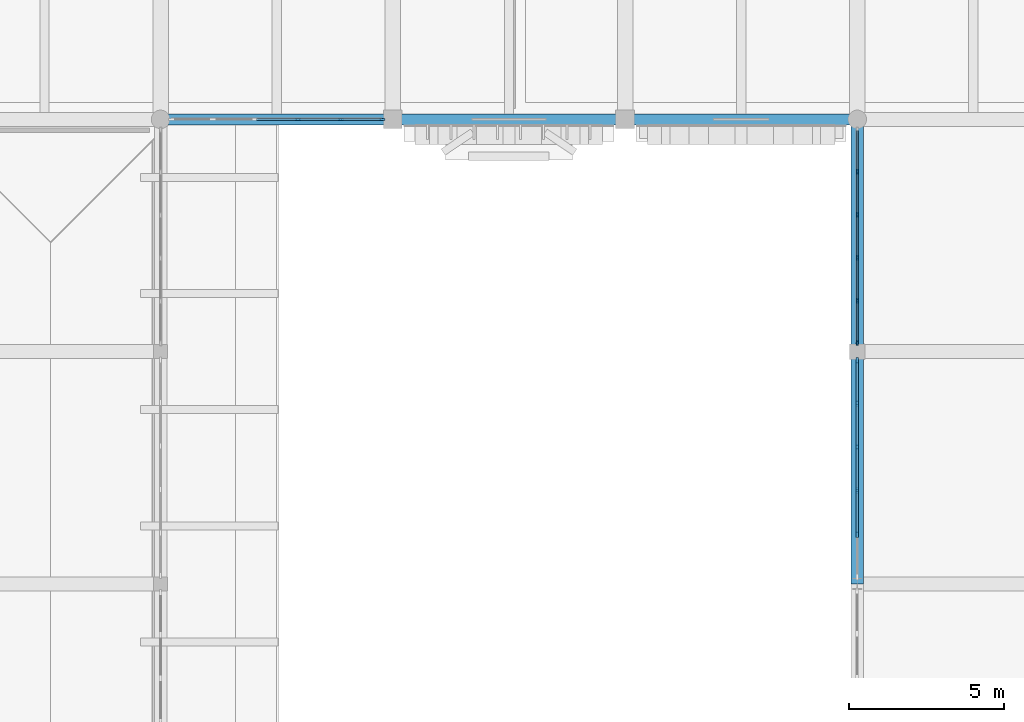
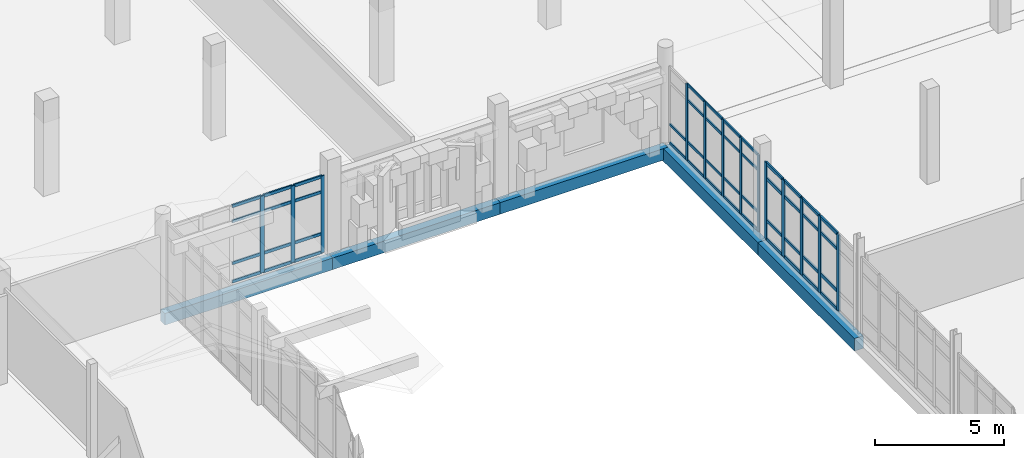
# One storey, part 46 of 128: 59 members, 5 beams, 3 elements without a shape of their own.
"""IFC4 building model written with IfcOpenShell, lengths in metres."""

from ifc_helpers import new_model, si_unit, direction, frame, origin, origin_2d, place, context, subcontext, project, spatial, rectangle, extrude, material, layer, layer_set, material_profile, profile_set, type_object, element, aggregate, save


model = new_model("IFC4")

# Units and contexts
model_context = context("Model", 3, precision=1e-05, world=origin(), true_north=direction((0.0, 1.0)))
body_context = subcontext(model_context, "Body", "Model", "MODEL_VIEW")
ifc_project = project(units=[si_unit("LENGTHUNIT", "METRE"), si_unit("AREAUNIT", "SQUARE_METRE"), si_unit("VOLUMEUNIT", "CUBIC_METRE"), si_unit("PLANEANGLEUNIT", "RADIAN"), si_unit("MASSUNIT", "GRAM", prefix="KILO")], contexts=[model_context])

# Site, building, storey
site_placement = place(None, origin())
site = spatial("IfcSite", under=ifc_project, at=site_placement, CompositionType="ELEMENT")
building_placement = place(site_placement, origin())
building = spatial("IfcBuilding", under=site, at=building_placement, Name="Dalvernix Boulevard General Hospital", CompositionType="ELEMENT")
storey_placement = place(building_placement, frame((0.0, 0.0, 4.800048828125)))
storey = spatial("IfcBuildingStorey", under=building, at=storey_placement, Name="L01", CompositionType="ELEMENT", Elevation=4.800048828125)

# Beams
ifc_material_1 = material(Name="Concrete C35/45", Category="concrete")
ifc_material_profile_1 = material_profile(ifc_material_1, rectangle(XDim=0.35009765625, YDim=0.550048828125, at=origin_2d()), Name="RCB 350x550")
ifc_profile_set_1 = profile_set([ifc_material_profile_1], Name="Concrete C35/45")
beam_type_1 = type_object("IfcBeamType", Name="BM-SB-01-E", PredefinedType="SPANDREL", material=ifc_profile_set_1)
for number, where, z_axis, x_axis, name in (
    (1, (37.5, 76.5, -0.574951171875), (1.0, 0.0, 0.0), (0.0, 1.0, 0.0), "L01 E-W girder L:6-7"),
    (2, (45.0, 76.5, -0.574951171875), (1.0, 0.0, 0.0), (0.0, 1.0, 0.0), "L01 E-W girder L:7-8"),
    (3, (52.5, 76.5, -0.574951171875), (1.0, 0.0, 0.0), (0.0, 1.0, 0.0), "L01 E-W girder L:8-9"),
):
    element("IfcBeam", number, at=place(storey_placement, frame(where, z_axis=z_axis, x_axis=x_axis)), inside=storey, type_object=beam_type_1, Name=name, PredefinedType="SPANDREL", context=body_context, shape_type="SweptSolid", body=[
        extrude(rectangle(XDim=0.35009765625, YDim=0.550048828125, at=origin_2d()), origin(), (0.0, 0.0, 1.0), 7.5),
    ])
ifc_material_profile_2 = material_profile(ifc_material_1, rectangle(XDim=0.39990234375, YDim=0.60009765625, at=origin_2d()), Name="RCB 400x600")
ifc_profile_set_2 = profile_set([ifc_material_profile_2], Name="Concrete C35/45")
beam_type_2 = type_object("IfcBeamType", Name="BM-SB-02-E", PredefinedType="SPANDREL", material=ifc_profile_set_2)
for number, where, z_axis, x_axis, name in (
    (4, (60.0, 61.5, -0.60009765625), (0.0, 1.0, 0.0), (-1.0, 0.0, 0.0), "L01 N-S girder 9:J-K"),
    (5, (60.0, 69.0, -0.60009765625), (0.0, 1.0, 0.0), (-1.0, 0.0, 0.0), "L01 N-S girder 9:K-L"),
):
    element("IfcBeam", number, at=place(storey_placement, frame(where, z_axis=z_axis, x_axis=x_axis)), inside=storey, type_object=beam_type_2, Name=name, PredefinedType="SPANDREL", context=body_context, shape_type="SweptSolid", body=[
        extrude(rectangle(XDim=0.39990234375, YDim=0.60009765625, at=origin_2d()), origin(), (0.0, 0.0, 1.0), 7.5),
    ])

# Curtain wall, members
ifc_material_2 = material(Name="Thermally broken aluminium and solar-control glass curtain wall", Category="aluminium")
ifc_layer_1 = layer(ifc_material_2, 0.159912109375)
ifc_layer_set_1 = layer_set([ifc_layer_1], Name="Thermally broken aluminium and solar-control glass curtain wall (CW-CW-A-69x36)")
curtain_wall_type_1 = type_object("IfcCurtainWallType", Name="CW-CW-A-69x36", PredefinedType="USERDEFINED", material=ifc_layer_set_1)
curtain_wall_1_placement = place(storey_placement, origin())
curtain_wall_1 = element("IfcCurtainWall", 6, at=curtain_wall_1_placement, inside=storey, type_object=curtain_wall_type_1, Name="L01 curtain wall CW-A-69x36 8-9", ObjectType="GLAZED FACADE", PredefinedType="USERDEFINED")
ifc_material_3 = material(Name="Aluminium EN AW-6060", Category="aluminium")
ifc_material_profile_3 = material_profile(ifc_material_3, rectangle(XDim=0.06005859375, YDim=0.159912109375, at=origin_2d()), Name="ALU MULL 60x160")
ifc_profile_set_3 = profile_set([ifc_material_profile_3], Name="Aluminium EN AW-6060")
member_type_1 = type_object("IfcMemberType", Name="MEM-CW-M1", PredefinedType="MULLION", material=ifc_profile_set_3)
member_1_placement = place(storey_placement, frame((60.0, 69.2900390625, 0.0), z_axis=(0.0, 0.0, 1.0), x_axis=(-1.0, 0.0, 0.0)))
member_1 = element("IfcMember", 7, at=member_1_placement, type_object=member_type_1, Name="CW-A-69x36 mullion 1", PredefinedType="MULLION", context=body_context, shape_type="SweptSolid", body=[
    extrude(rectangle(XDim=0.06005859375, YDim=0.159912109375, at=origin_2d()), origin(), (0.0, 0.0, 1.0), 3.6298828125),
])
member_2_placement = place(storey_placement, frame((60.0, 70.64599609375, 0.0), z_axis=(0.0, 0.0, 1.0), x_axis=(-1.0, 0.0, 0.0)))
member_2 = element("IfcMember", 8, at=member_2_placement, type_object=member_type_1, Name="CW-A-69x36 mullion 2", PredefinedType="MULLION", context=body_context, shape_type="SweptSolid", body=[
    extrude(rectangle(XDim=0.06005859375, YDim=0.159912109375, at=origin_2d()), origin(), (0.0, 0.0, 1.0), 3.6298828125),
])
member_3_placement = place(storey_placement, frame((60.0, 72.031982421875, 0.0), z_axis=(0.0, 0.0, 1.0), x_axis=(-1.0, 0.0, 0.0)))
member_3 = element("IfcMember", 9, at=member_3_placement, type_object=member_type_1, Name="CW-A-69x36 mullion 3", PredefinedType="MULLION", context=body_context, shape_type="SweptSolid", body=[
    extrude(rectangle(XDim=0.06005859375, YDim=0.159912109375, at=origin_2d()), origin(), (0.0, 0.0, 1.0), 3.6298828125),
])
member_4_placement = place(storey_placement, frame((60.0, 73.41796875, 0.0), z_axis=(0.0, 0.0, 1.0), x_axis=(-1.0, 0.0, 0.0)))
member_4 = element("IfcMember", 10, at=member_4_placement, type_object=member_type_1, Name="CW-A-69x36 mullion 4", PredefinedType="MULLION", context=body_context, shape_type="SweptSolid", body=[
    extrude(rectangle(XDim=0.06005859375, YDim=0.159912109375, at=origin_2d()), origin(), (0.0, 0.0, 1.0), 3.6298828125),
])
member_5_placement = place(storey_placement, frame((60.0, 74.803955078125, 0.0), z_axis=(0.0, 0.0, 1.0), x_axis=(-1.0, 0.0, 0.0)))
member_5 = element("IfcMember", 11, at=member_5_placement, type_object=member_type_1, Name="CW-A-69x36 mullion 5", PredefinedType="MULLION", context=body_context, shape_type="SweptSolid", body=[
    extrude(rectangle(XDim=0.06005859375, YDim=0.159912109375, at=origin_2d()), origin(), (0.0, 0.0, 1.0), 3.6298828125),
])

ifc_layer_2 = layer(ifc_material_2, 0.179931640625)
ifc_layer_set_2 = layer_set([ifc_layer_2], Name="Thermally broken aluminium and solar-control glass curtain wall (CW-CW-B-69x36)")
curtain_wall_type_2 = type_object("IfcCurtainWallType", Name="CW-CW-B-69x36", PredefinedType="USERDEFINED", material=ifc_layer_set_2)
curtain_wall_2_placement = place(storey_placement, origin())
curtain_wall_2 = element("IfcCurtainWall", 12, at=curtain_wall_2_placement, inside=storey, type_object=curtain_wall_type_2, Name="L01 curtain wall CW-B-69x36 5-10", ObjectType="GLAZED FACADE", PredefinedType="USERDEFINED")
ifc_material_profile_4 = material_profile(ifc_material_3, rectangle(XDim=0.06494140625, YDim=0.179931640625, at=origin_2d()), Name="ALU MULL 65x180")
ifc_profile_set_4 = profile_set([ifc_material_profile_4], Name="Aluminium EN AW-6060")
member_type_2 = type_object("IfcMemberType", Name="MEM-CW-M2", PredefinedType="MULLION", material=ifc_profile_set_4)
member_6_placement = place(storey_placement, frame((44.657470703125, 76.5, 0.0), z_axis=(0.0, 0.0, 1.0), x_axis=(0.0, -1.0, 0.0)))
member_6 = element("IfcMember", 13, at=member_6_placement, type_object=member_type_2, Name="CW-B-69x36 mullion 1", PredefinedType="MULLION", context=body_context, shape_type="SweptSolid", body=[
    extrude(rectangle(XDim=0.06494140625, YDim=0.179931640625, at=origin_2d()), origin(), (0.0, 0.0, 1.0), 3.6298828125),
])
member_7_placement = place(storey_placement, frame((43.31396484375, 76.5, 0.0), z_axis=(0.0, 0.0, 1.0), x_axis=(0.0, -1.0, 0.0)))
member_7 = element("IfcMember", 14, at=member_7_placement, type_object=member_type_2, Name="CW-B-69x36 mullion 2", PredefinedType="MULLION", context=body_context, shape_type="SweptSolid", body=[
    extrude(rectangle(XDim=0.06494140625, YDim=0.179931640625, at=origin_2d()), origin(), (0.0, 0.0, 1.0), 3.6298828125),
])
member_8_placement = place(storey_placement, frame((41.93798828125, 76.5, 0.0), z_axis=(0.0, 0.0, 1.0), x_axis=(0.0, -1.0, 0.0)))
member_8 = element("IfcMember", 15, at=member_8_placement, type_object=member_type_2, Name="CW-B-69x36 mullion 3", PredefinedType="MULLION", context=body_context, shape_type="SweptSolid", body=[
    extrude(rectangle(XDim=0.06494140625, YDim=0.179931640625, at=origin_2d()), origin(), (0.0, 0.0, 1.0), 3.6298828125),
])

ifc_layer_3 = layer(ifc_material_2, 0.199951171875)
ifc_layer_set_3 = layer_set([ifc_layer_3], Name="Thermally broken aluminium and solar-control glass curtain wall (CW-CW-C-70x36)")
curtain_wall_type_3 = type_object("IfcCurtainWallType", Name="CW-CW-C-70x36", PredefinedType="USERDEFINED", material=ifc_layer_set_3)
curtain_wall_3_placement = place(storey_placement, origin())
curtain_wall_3 = element("IfcCurtainWall", 16, at=curtain_wall_3_placement, inside=storey, type_object=curtain_wall_type_3, Name="L01 curtain wall CW-C-70x36 8-8", ObjectType="GLAZED FACADE", PredefinedType="USERDEFINED")
ifc_material_profile_5 = material_profile(ifc_material_3, rectangle(XDim=0.070068359375, YDim=0.199951171875, at=origin_2d()), Name="ALU MULL 70x200")
ifc_profile_set_5 = profile_set([ifc_material_profile_5], Name="Aluminium EN AW-6060")
member_type_3 = type_object("IfcMemberType", Name="MEM-CW-M3", PredefinedType="MULLION", material=ifc_profile_set_5)
member_9_placement = place(storey_placement, frame((60.0, 63.10009765625, 0.0), z_axis=(0.0, 0.0, 1.0), x_axis=(-1.0, 0.0, 0.0)))
member_9 = element("IfcMember", 17, at=member_9_placement, type_object=member_type_3, Name="CW-C-70x36 mullion 2", PredefinedType="MULLION", context=body_context, shape_type="SweptSolid", body=[
    extrude(rectangle(XDim=0.070068359375, YDim=0.199951171875, at=origin_2d()), origin(), (0.0, 0.0, 1.0), 3.6298828125),
])
member_10_placement = place(storey_placement, frame((60.0, 64.510009765625, 0.0), z_axis=(0.0, 0.0, 1.0), x_axis=(-1.0, 0.0, 0.0)))
member_10 = element("IfcMember", 18, at=member_10_placement, type_object=member_type_3, Name="CW-C-70x36 mullion 3", PredefinedType="MULLION", context=body_context, shape_type="SweptSolid", body=[
    extrude(rectangle(XDim=0.070068359375, YDim=0.199951171875, at=origin_2d()), origin(), (0.0, 0.0, 1.0), 3.6298828125),
])
member_11_placement = place(storey_placement, frame((60.0, 65.919921875, 0.0), z_axis=(0.0, 0.0, 1.0), x_axis=(-1.0, 0.0, 0.0)))
member_11 = element("IfcMember", 19, at=member_11_placement, type_object=member_type_3, Name="CW-C-70x36 mullion 4", PredefinedType="MULLION", context=body_context, shape_type="SweptSolid", body=[
    extrude(rectangle(XDim=0.070068359375, YDim=0.199951171875, at=origin_2d()), origin(), (0.0, 0.0, 1.0), 3.6298828125),
])
member_12_placement = place(storey_placement, frame((60.0, 67.330078125, 0.0), z_axis=(0.0, 0.0, 1.0), x_axis=(-1.0, 0.0, 0.0)))
member_12 = element("IfcMember", 20, at=member_12_placement, type_object=member_type_3, Name="CW-C-70x36 mullion 5", PredefinedType="MULLION", context=body_context, shape_type="SweptSolid", body=[
    extrude(rectangle(XDim=0.070068359375, YDim=0.199951171875, at=origin_2d()), origin(), (0.0, 0.0, 1.0), 3.6298828125),
])
member_13_placement = place(storey_placement, frame((60.0, 68.705078125, 0.0), z_axis=(0.0, 0.0, 1.0), x_axis=(-1.0, 0.0, 0.0)))
member_13 = element("IfcMember", 21, at=member_13_placement, type_object=member_type_3, Name="CW-C-70x36 mullion 6", PredefinedType="MULLION", context=body_context, shape_type="SweptSolid", body=[
    extrude(rectangle(XDim=0.070068359375, YDim=0.199951171875, at=origin_2d()), origin(), (0.0, 0.0, 1.0), 3.6298828125),
])

# Member
ifc_material_profile_6 = material_profile(ifc_material_3, rectangle(XDim=0.06005859375, YDim=0.1201171875, at=origin_2d()), Name="ALU TRAN 60x120")
ifc_profile_set_6 = profile_set([ifc_material_profile_6], Name="Aluminium EN AW-6060")
member_type_4 = type_object("IfcMemberType", Name="MEM-CW-T1", PredefinedType="USERDEFINED", material=ifc_profile_set_6)
member_14_placement = place(storey_placement, frame((60.0, 69.320068359375, 0.030029296875), z_axis=(0.0, 1.0, 0.0), x_axis=(-1.0, 0.0, 0.0)))
member_14 = element("IfcMember", 22, at=member_14_placement, type_object=member_type_4, Name="CW-A-69x36 transom 1.1", ObjectType="TRANSOM", PredefinedType="USERDEFINED", context=body_context, shape_type="SweptSolid", body=[
    extrude(rectangle(XDim=0.06005859375, YDim=0.1201171875, at=origin_2d()), origin(), (0.0, 0.0, 1.0), 1.2958984375),
])

member_15_placement = place(storey_placement, frame((60.0, 69.320068359375, 0.89990234375), z_axis=(0.0, 1.0, 0.0), x_axis=(-1.0, 0.0, 0.0)))
member_15 = element("IfcMember", 23, at=member_15_placement, type_object=member_type_4, Name="CW-A-69x36 transom 1.2", ObjectType="TRANSOM", PredefinedType="USERDEFINED", context=body_context, shape_type="SweptSolid", body=[
    extrude(rectangle(XDim=0.06005859375, YDim=0.1201171875, at=origin_2d()), origin(), (0.0, 0.0, 1.0), 1.2958984375),
])

member_16_placement = place(storey_placement, frame((60.0, 69.320068359375, 2.8798828125), z_axis=(0.0, 1.0, 0.0), x_axis=(-1.0, 0.0, 0.0)))
member_16 = element("IfcMember", 24, at=member_16_placement, type_object=member_type_4, Name="CW-A-69x36 transom 1.3", ObjectType="TRANSOM", PredefinedType="USERDEFINED", context=body_context, shape_type="SweptSolid", body=[
    extrude(rectangle(XDim=0.06005859375, YDim=0.1201171875, at=origin_2d()), origin(), (0.0, 0.0, 1.0), 1.2958984375),
])

member_17_placement = place(storey_placement, frame((60.0, 69.320068359375, 3.599853515625), z_axis=(0.0, 1.0, 0.0), x_axis=(-1.0, 0.0, 0.0)))
member_17 = element("IfcMember", 25, at=member_17_placement, type_object=member_type_4, Name="CW-A-69x36 transom 1.4", ObjectType="TRANSOM", PredefinedType="USERDEFINED", context=body_context, shape_type="SweptSolid", body=[
    extrude(rectangle(XDim=0.06005859375, YDim=0.1201171875, at=origin_2d()), origin(), (0.0, 0.0, 1.0), 1.2958984375),
])

member_18_placement = place(storey_placement, frame((60.0, 70.676025390625, 0.030029296875), z_axis=(0.0, 1.0, 0.0), x_axis=(-1.0, 0.0, 0.0)))
member_18 = element("IfcMember", 26, at=member_18_placement, type_object=member_type_4, Name="CW-A-69x36 transom 2.1", ObjectType="TRANSOM", PredefinedType="USERDEFINED", context=body_context, shape_type="SweptSolid", body=[
    extrude(rectangle(XDim=0.06005859375, YDim=0.1201171875, at=origin_2d()), origin(), (0.0, 0.0, 1.0), 1.325927734375),
])

member_19_placement = place(storey_placement, frame((60.0, 70.676025390625, 0.89990234375), z_axis=(0.0, 1.0, 0.0), x_axis=(-1.0, 0.0, 0.0)))
member_19 = element("IfcMember", 27, at=member_19_placement, type_object=member_type_4, Name="CW-A-69x36 transom 2.2", ObjectType="TRANSOM", PredefinedType="USERDEFINED", context=body_context, shape_type="SweptSolid", body=[
    extrude(rectangle(XDim=0.06005859375, YDim=0.1201171875, at=origin_2d()), origin(), (0.0, 0.0, 1.0), 1.325927734375),
])

member_20_placement = place(storey_placement, frame((60.0, 70.676025390625, 2.8798828125), z_axis=(0.0, 1.0, 0.0), x_axis=(-1.0, 0.0, 0.0)))
member_20 = element("IfcMember", 28, at=member_20_placement, type_object=member_type_4, Name="CW-A-69x36 transom 2.3", ObjectType="TRANSOM", PredefinedType="USERDEFINED", context=body_context, shape_type="SweptSolid", body=[
    extrude(rectangle(XDim=0.06005859375, YDim=0.1201171875, at=origin_2d()), origin(), (0.0, 0.0, 1.0), 1.325927734375),
])

member_21_placement = place(storey_placement, frame((60.0, 70.676025390625, 3.599853515625), z_axis=(0.0, 1.0, 0.0), x_axis=(-1.0, 0.0, 0.0)))
member_21 = element("IfcMember", 29, at=member_21_placement, type_object=member_type_4, Name="CW-A-69x36 transom 2.4", ObjectType="TRANSOM", PredefinedType="USERDEFINED", context=body_context, shape_type="SweptSolid", body=[
    extrude(rectangle(XDim=0.06005859375, YDim=0.1201171875, at=origin_2d()), origin(), (0.0, 0.0, 1.0), 1.325927734375),
])

member_22_placement = place(storey_placement, frame((60.0, 72.06201171875, 0.030029296875), z_axis=(0.0, 1.0, 0.0), x_axis=(-1.0, 0.0, 0.0)))
member_22 = element("IfcMember", 30, at=member_22_placement, type_object=member_type_4, Name="CW-A-69x36 transom 3.1", ObjectType="TRANSOM", PredefinedType="USERDEFINED", context=body_context, shape_type="SweptSolid", body=[
    extrude(rectangle(XDim=0.06005859375, YDim=0.1201171875, at=origin_2d()), origin(), (0.0, 0.0, 1.0), 1.325927734375),
])

member_23_placement = place(storey_placement, frame((60.0, 72.06201171875, 0.89990234375), z_axis=(0.0, 1.0, 0.0), x_axis=(-1.0, 0.0, 0.0)))
member_23 = element("IfcMember", 31, at=member_23_placement, type_object=member_type_4, Name="CW-A-69x36 transom 3.2", ObjectType="TRANSOM", PredefinedType="USERDEFINED", context=body_context, shape_type="SweptSolid", body=[
    extrude(rectangle(XDim=0.06005859375, YDim=0.1201171875, at=origin_2d()), origin(), (0.0, 0.0, 1.0), 1.325927734375),
])

member_24_placement = place(storey_placement, frame((60.0, 72.06201171875, 2.8798828125), z_axis=(0.0, 1.0, 0.0), x_axis=(-1.0, 0.0, 0.0)))
member_24 = element("IfcMember", 32, at=member_24_placement, type_object=member_type_4, Name="CW-A-69x36 transom 3.3", ObjectType="TRANSOM", PredefinedType="USERDEFINED", context=body_context, shape_type="SweptSolid", body=[
    extrude(rectangle(XDim=0.06005859375, YDim=0.1201171875, at=origin_2d()), origin(), (0.0, 0.0, 1.0), 1.325927734375),
])

member_25_placement = place(storey_placement, frame((60.0, 72.06201171875, 3.599853515625), z_axis=(0.0, 1.0, 0.0), x_axis=(-1.0, 0.0, 0.0)))
member_25 = element("IfcMember", 33, at=member_25_placement, type_object=member_type_4, Name="CW-A-69x36 transom 3.4", ObjectType="TRANSOM", PredefinedType="USERDEFINED", context=body_context, shape_type="SweptSolid", body=[
    extrude(rectangle(XDim=0.06005859375, YDim=0.1201171875, at=origin_2d()), origin(), (0.0, 0.0, 1.0), 1.325927734375),
])

member_26_placement = place(storey_placement, frame((60.0, 73.447998046875, 0.030029296875), z_axis=(0.0, 1.0, 0.0), x_axis=(-1.0, 0.0, 0.0)))
member_26 = element("IfcMember", 34, at=member_26_placement, type_object=member_type_4, Name="CW-A-69x36 transom 4.1", ObjectType="TRANSOM", PredefinedType="USERDEFINED", context=body_context, shape_type="SweptSolid", body=[
    extrude(rectangle(XDim=0.06005859375, YDim=0.1201171875, at=origin_2d()), origin(), (0.0, 0.0, 1.0), 1.325927734375),
])

member_27_placement = place(storey_placement, frame((60.0, 73.447998046875, 0.89990234375), z_axis=(0.0, 1.0, 0.0), x_axis=(-1.0, 0.0, 0.0)))
member_27 = element("IfcMember", 35, at=member_27_placement, type_object=member_type_4, Name="CW-A-69x36 transom 4.2", ObjectType="TRANSOM", PredefinedType="USERDEFINED", context=body_context, shape_type="SweptSolid", body=[
    extrude(rectangle(XDim=0.06005859375, YDim=0.1201171875, at=origin_2d()), origin(), (0.0, 0.0, 1.0), 1.325927734375),
])

member_28_placement = place(storey_placement, frame((60.0, 73.447998046875, 2.8798828125), z_axis=(0.0, 1.0, 0.0), x_axis=(-1.0, 0.0, 0.0)))
member_28 = element("IfcMember", 36, at=member_28_placement, type_object=member_type_4, Name="CW-A-69x36 transom 4.3", ObjectType="TRANSOM", PredefinedType="USERDEFINED", context=body_context, shape_type="SweptSolid", body=[
    extrude(rectangle(XDim=0.06005859375, YDim=0.1201171875, at=origin_2d()), origin(), (0.0, 0.0, 1.0), 1.325927734375),
])

member_29_placement = place(storey_placement, frame((60.0, 73.447998046875, 3.599853515625), z_axis=(0.0, 1.0, 0.0), x_axis=(-1.0, 0.0, 0.0)))
member_29 = element("IfcMember", 37, at=member_29_placement, type_object=member_type_4, Name="CW-A-69x36 transom 4.4", ObjectType="TRANSOM", PredefinedType="USERDEFINED", context=body_context, shape_type="SweptSolid", body=[
    extrude(rectangle(XDim=0.06005859375, YDim=0.1201171875, at=origin_2d()), origin(), (0.0, 0.0, 1.0), 1.325927734375),
])

member_30_placement = place(storey_placement, frame((60.0, 74.833984375, 0.030029296875), z_axis=(0.0, 1.0, 0.0), x_axis=(-1.0, 0.0, 0.0)))
member_30 = element("IfcMember", 38, at=member_30_placement, type_object=member_type_4, Name="CW-A-69x36 transom 5.1", ObjectType="TRANSOM", PredefinedType="USERDEFINED", context=body_context, shape_type="SweptSolid", body=[
    extrude(rectangle(XDim=0.06005859375, YDim=0.1201171875, at=origin_2d()), origin(), (0.0, 0.0, 1.0), 1.2958984375),
])

member_31_placement = place(storey_placement, frame((60.0, 74.833984375, 0.89990234375), z_axis=(0.0, 1.0, 0.0), x_axis=(-1.0, 0.0, 0.0)))
member_31 = element("IfcMember", 39, at=member_31_placement, type_object=member_type_4, Name="CW-A-69x36 transom 5.2", ObjectType="TRANSOM", PredefinedType="USERDEFINED", context=body_context, shape_type="SweptSolid", body=[
    extrude(rectangle(XDim=0.06005859375, YDim=0.1201171875, at=origin_2d()), origin(), (0.0, 0.0, 1.0), 1.2958984375),
])

aggregate(curtain_wall_1, [member_1, member_2, member_3, member_4, member_5, member_14, member_15, member_16, member_17, member_18, member_19, member_20, member_21, member_22, member_23, member_24, member_25, member_26, member_27, member_28, member_29, member_30, member_31])

ifc_material_profile_7 = material_profile(ifc_material_3, rectangle(XDim=0.06494140625, YDim=0.139892578125, at=origin_2d()), Name="ALU TRAN 65x140")
ifc_profile_set_7 = profile_set([ifc_material_profile_7], Name="Aluminium EN AW-6060")
member_type_5 = type_object("IfcMemberType", Name="MEM-CW-T2", PredefinedType="USERDEFINED", material=ifc_profile_set_7)
member_32_placement = place(storey_placement, frame((44.625, 76.5, 0.032470703125), z_axis=(-1.0, 0.0, 0.0), x_axis=(0.0, -1.0, 0.0)))
member_32 = element("IfcMember", 40, at=member_32_placement, type_object=member_type_5, Name="CW-B-69x36 transom 1.1", ObjectType="TRANSOM", PredefinedType="USERDEFINED", context=body_context, shape_type="SweptSolid", body=[
    extrude(rectangle(XDim=0.06494140625, YDim=0.139892578125, at=origin_2d()), origin(), (0.0, 0.0, 1.0), 1.278564453125),
])

member_33_placement = place(storey_placement, frame((44.625, 76.5, 0.89990234375), z_axis=(-1.0, 0.0, 0.0), x_axis=(0.0, -1.0, 0.0)))
member_33 = element("IfcMember", 41, at=member_33_placement, type_object=member_type_5, Name="CW-B-69x36 transom 1.2", ObjectType="TRANSOM", PredefinedType="USERDEFINED", context=body_context, shape_type="SweptSolid", body=[
    extrude(rectangle(XDim=0.06494140625, YDim=0.139892578125, at=origin_2d()), origin(), (0.0, 0.0, 1.0), 1.278564453125),
])

member_34_placement = place(storey_placement, frame((44.625, 76.5, 2.8798828125), z_axis=(-1.0, 0.0, 0.0), x_axis=(0.0, -1.0, 0.0)))
member_34 = element("IfcMember", 42, at=member_34_placement, type_object=member_type_5, Name="CW-B-69x36 transom 1.3", ObjectType="TRANSOM", PredefinedType="USERDEFINED", context=body_context, shape_type="SweptSolid", body=[
    extrude(rectangle(XDim=0.06494140625, YDim=0.139892578125, at=origin_2d()), origin(), (0.0, 0.0, 1.0), 1.278564453125),
])

member_35_placement = place(storey_placement, frame((44.625, 76.5, 3.597412109375), z_axis=(-1.0, 0.0, 0.0), x_axis=(0.0, -1.0, 0.0)))
member_35 = element("IfcMember", 43, at=member_35_placement, type_object=member_type_5, Name="CW-B-69x36 transom 1.4", ObjectType="TRANSOM", PredefinedType="USERDEFINED", context=body_context, shape_type="SweptSolid", body=[
    extrude(rectangle(XDim=0.06494140625, YDim=0.139892578125, at=origin_2d()), origin(), (0.0, 0.0, 1.0), 1.278564453125),
])

member_36_placement = place(storey_placement, frame((43.281494140625, 76.5, 0.032470703125), z_axis=(-1.0, 0.0, 0.0), x_axis=(0.0, -1.0, 0.0)))
member_36 = element("IfcMember", 44, at=member_36_placement, type_object=member_type_5, Name="CW-B-69x36 transom 2.1", ObjectType="TRANSOM", PredefinedType="USERDEFINED", context=body_context, shape_type="SweptSolid", body=[
    extrude(rectangle(XDim=0.06494140625, YDim=0.139892578125, at=origin_2d()), origin(), (0.0, 0.0, 1.0), 1.31103515625),
])

member_37_placement = place(storey_placement, frame((43.281494140625, 76.5, 0.89990234375), z_axis=(-1.0, 0.0, 0.0), x_axis=(0.0, -1.0, 0.0)))
member_37 = element("IfcMember", 45, at=member_37_placement, type_object=member_type_5, Name="CW-B-69x36 transom 2.2", ObjectType="TRANSOM", PredefinedType="USERDEFINED", context=body_context, shape_type="SweptSolid", body=[
    extrude(rectangle(XDim=0.06494140625, YDim=0.139892578125, at=origin_2d()), origin(), (0.0, 0.0, 1.0), 1.31103515625),
])

member_38_placement = place(storey_placement, frame((43.281494140625, 76.5, 2.8798828125), z_axis=(-1.0, 0.0, 0.0), x_axis=(0.0, -1.0, 0.0)))
member_38 = element("IfcMember", 46, at=member_38_placement, type_object=member_type_5, Name="CW-B-69x36 transom 2.3", ObjectType="TRANSOM", PredefinedType="USERDEFINED", context=body_context, shape_type="SweptSolid", body=[
    extrude(rectangle(XDim=0.06494140625, YDim=0.139892578125, at=origin_2d()), origin(), (0.0, 0.0, 1.0), 1.31103515625),
])

member_39_placement = place(storey_placement, frame((43.281494140625, 76.5, 3.597412109375), z_axis=(-1.0, 0.0, 0.0), x_axis=(0.0, -1.0, 0.0)))
member_39 = element("IfcMember", 47, at=member_39_placement, type_object=member_type_5, Name="CW-B-69x36 transom 2.4", ObjectType="TRANSOM", PredefinedType="USERDEFINED", context=body_context, shape_type="SweptSolid", body=[
    extrude(rectangle(XDim=0.06494140625, YDim=0.139892578125, at=origin_2d()), origin(), (0.0, 0.0, 1.0), 1.31103515625),
])

member_40_placement = place(storey_placement, frame((41.905517578125, 76.5, 0.032470703125), z_axis=(-1.0, 0.0, 0.0), x_axis=(0.0, -1.0, 0.0)))
member_40 = element("IfcMember", 48, at=member_40_placement, type_object=member_type_5, Name="CW-B-69x36 transom 3.1", ObjectType="TRANSOM", PredefinedType="USERDEFINED", context=body_context, shape_type="SweptSolid", body=[
    extrude(rectangle(XDim=0.06494140625, YDim=0.139892578125, at=origin_2d()), origin(), (0.0, 0.0, 1.0), 1.31103515625),
])

member_41_placement = place(storey_placement, frame((41.905517578125, 76.5, 0.89990234375), z_axis=(-1.0, 0.0, 0.0), x_axis=(0.0, -1.0, 0.0)))
member_41 = element("IfcMember", 49, at=member_41_placement, type_object=member_type_5, Name="CW-B-69x36 transom 3.2", ObjectType="TRANSOM", PredefinedType="USERDEFINED", context=body_context, shape_type="SweptSolid", body=[
    extrude(rectangle(XDim=0.06494140625, YDim=0.139892578125, at=origin_2d()), origin(), (0.0, 0.0, 1.0), 1.31103515625),
])

member_42_placement = place(storey_placement, frame((41.905517578125, 76.5, 2.8798828125), z_axis=(-1.0, 0.0, 0.0), x_axis=(0.0, -1.0, 0.0)))
member_42 = element("IfcMember", 50, at=member_42_placement, type_object=member_type_5, Name="CW-B-69x36 transom 3.3", ObjectType="TRANSOM", PredefinedType="USERDEFINED", context=body_context, shape_type="SweptSolid", body=[
    extrude(rectangle(XDim=0.06494140625, YDim=0.139892578125, at=origin_2d()), origin(), (0.0, 0.0, 1.0), 1.31103515625),
])

member_43_placement = place(storey_placement, frame((41.905517578125, 76.5, 3.597412109375), z_axis=(-1.0, 0.0, 0.0), x_axis=(0.0, -1.0, 0.0)))
member_43 = element("IfcMember", 51, at=member_43_placement, type_object=member_type_5, Name="CW-B-69x36 transom 3.4", ObjectType="TRANSOM", PredefinedType="USERDEFINED", context=body_context, shape_type="SweptSolid", body=[
    extrude(rectangle(XDim=0.06494140625, YDim=0.139892578125, at=origin_2d()), origin(), (0.0, 0.0, 1.0), 1.31103515625),
])

aggregate(curtain_wall_2, [member_6, member_7, member_8, member_32, member_33, member_34, member_35, member_36, member_37, member_38, member_39, member_40, member_41, member_42, member_43])

ifc_material_profile_8 = material_profile(ifc_material_3, rectangle(XDim=0.070068359375, YDim=0.14990234375, at=origin_2d()), Name="ALU TRAN 70x150")
ifc_profile_set_8 = profile_set([ifc_material_profile_8], Name="Aluminium EN AW-6060")
member_type_6 = type_object("IfcMemberType", Name="MEM-CW-T3", PredefinedType="USERDEFINED", material=ifc_profile_set_8)
member_44_placement = place(storey_placement, frame((60.0, 63.135009765625, 0.034912109375), z_axis=(0.0, 1.0, 0.0), x_axis=(-1.0, 0.0, 0.0)))
member_44 = element("IfcMember", 52, at=member_44_placement, type_object=member_type_6, Name="CW-C-70x36 transom 2.1", ObjectType="TRANSOM", PredefinedType="USERDEFINED", context=body_context, shape_type="SweptSolid", body=[
    extrude(rectangle(XDim=0.070068359375, YDim=0.14990234375, at=origin_2d()), origin(), (0.0, 0.0, 1.0), 1.340087890625),
])

member_45_placement = place(storey_placement, frame((60.0, 63.135009765625, 0.89990234375), z_axis=(0.0, 1.0, 0.0), x_axis=(-1.0, 0.0, 0.0)))
member_45 = element("IfcMember", 53, at=member_45_placement, type_object=member_type_6, Name="CW-C-70x36 transom 2.2", ObjectType="TRANSOM", PredefinedType="USERDEFINED", context=body_context, shape_type="SweptSolid", body=[
    extrude(rectangle(XDim=0.070068359375, YDim=0.14990234375, at=origin_2d()), origin(), (0.0, 0.0, 1.0), 1.340087890625),
])

member_46_placement = place(storey_placement, frame((60.0, 63.135009765625, 2.8798828125), z_axis=(0.0, 1.0, 0.0), x_axis=(-1.0, 0.0, 0.0)))
member_46 = element("IfcMember", 54, at=member_46_placement, type_object=member_type_6, Name="CW-C-70x36 transom 2.3", ObjectType="TRANSOM", PredefinedType="USERDEFINED", context=body_context, shape_type="SweptSolid", body=[
    extrude(rectangle(XDim=0.070068359375, YDim=0.14990234375, at=origin_2d()), origin(), (0.0, 0.0, 1.0), 1.340087890625),
])

member_47_placement = place(storey_placement, frame((60.0, 63.135009765625, 3.594970703125), z_axis=(0.0, 1.0, 0.0), x_axis=(-1.0, 0.0, 0.0)))
member_47 = element("IfcMember", 55, at=member_47_placement, type_object=member_type_6, Name="CW-C-70x36 transom 2.4", ObjectType="TRANSOM", PredefinedType="USERDEFINED", context=body_context, shape_type="SweptSolid", body=[
    extrude(rectangle(XDim=0.070068359375, YDim=0.14990234375, at=origin_2d()), origin(), (0.0, 0.0, 1.0), 1.340087890625),
])

member_48_placement = place(storey_placement, frame((60.0, 64.544921875, 0.034912109375), z_axis=(0.0, 1.0, 0.0), x_axis=(-1.0, 0.0, 0.0)))
member_48 = element("IfcMember", 56, at=member_48_placement, type_object=member_type_6, Name="CW-C-70x36 transom 3.1", ObjectType="TRANSOM", PredefinedType="USERDEFINED", context=body_context, shape_type="SweptSolid", body=[
    extrude(rectangle(XDim=0.070068359375, YDim=0.14990234375, at=origin_2d()), origin(), (0.0, 0.0, 1.0), 1.340087890625),
])

member_49_placement = place(storey_placement, frame((60.0, 64.544921875, 0.89990234375), z_axis=(0.0, 1.0, 0.0), x_axis=(-1.0, 0.0, 0.0)))
member_49 = element("IfcMember", 57, at=member_49_placement, type_object=member_type_6, Name="CW-C-70x36 transom 3.2", ObjectType="TRANSOM", PredefinedType="USERDEFINED", context=body_context, shape_type="SweptSolid", body=[
    extrude(rectangle(XDim=0.070068359375, YDim=0.14990234375, at=origin_2d()), origin(), (0.0, 0.0, 1.0), 1.340087890625),
])

member_50_placement = place(storey_placement, frame((60.0, 64.544921875, 2.8798828125), z_axis=(0.0, 1.0, 0.0), x_axis=(-1.0, 0.0, 0.0)))
member_50 = element("IfcMember", 58, at=member_50_placement, type_object=member_type_6, Name="CW-C-70x36 transom 3.3", ObjectType="TRANSOM", PredefinedType="USERDEFINED", context=body_context, shape_type="SweptSolid", body=[
    extrude(rectangle(XDim=0.070068359375, YDim=0.14990234375, at=origin_2d()), origin(), (0.0, 0.0, 1.0), 1.340087890625),
])

member_51_placement = place(storey_placement, frame((60.0, 64.544921875, 3.594970703125), z_axis=(0.0, 1.0, 0.0), x_axis=(-1.0, 0.0, 0.0)))
member_51 = element("IfcMember", 59, at=member_51_placement, type_object=member_type_6, Name="CW-C-70x36 transom 3.4", ObjectType="TRANSOM", PredefinedType="USERDEFINED", context=body_context, shape_type="SweptSolid", body=[
    extrude(rectangle(XDim=0.070068359375, YDim=0.14990234375, at=origin_2d()), origin(), (0.0, 0.0, 1.0), 1.340087890625),
])

member_52_placement = place(storey_placement, frame((60.0, 65.955078125, 0.034912109375), z_axis=(0.0, 1.0, 0.0), x_axis=(-1.0, 0.0, 0.0)))
member_52 = element("IfcMember", 60, at=member_52_placement, type_object=member_type_6, Name="CW-C-70x36 transom 4.1", ObjectType="TRANSOM", PredefinedType="USERDEFINED", context=body_context, shape_type="SweptSolid", body=[
    extrude(rectangle(XDim=0.070068359375, YDim=0.14990234375, at=origin_2d()), origin(), (0.0, 0.0, 1.0), 1.33984375),
])

member_53_placement = place(storey_placement, frame((60.0, 65.955078125, 0.89990234375), z_axis=(0.0, 1.0, 0.0), x_axis=(-1.0, 0.0, 0.0)))
member_53 = element("IfcMember", 61, at=member_53_placement, type_object=member_type_6, Name="CW-C-70x36 transom 4.2", ObjectType="TRANSOM", PredefinedType="USERDEFINED", context=body_context, shape_type="SweptSolid", body=[
    extrude(rectangle(XDim=0.070068359375, YDim=0.14990234375, at=origin_2d()), origin(), (0.0, 0.0, 1.0), 1.33984375),
])

member_54_placement = place(storey_placement, frame((60.0, 65.955078125, 2.8798828125), z_axis=(0.0, 1.0, 0.0), x_axis=(-1.0, 0.0, 0.0)))
member_54 = element("IfcMember", 62, at=member_54_placement, type_object=member_type_6, Name="CW-C-70x36 transom 4.3", ObjectType="TRANSOM", PredefinedType="USERDEFINED", context=body_context, shape_type="SweptSolid", body=[
    extrude(rectangle(XDim=0.070068359375, YDim=0.14990234375, at=origin_2d()), origin(), (0.0, 0.0, 1.0), 1.33984375),
])

member_55_placement = place(storey_placement, frame((60.0, 65.955078125, 3.594970703125), z_axis=(0.0, 1.0, 0.0), x_axis=(-1.0, 0.0, 0.0)))
member_55 = element("IfcMember", 63, at=member_55_placement, type_object=member_type_6, Name="CW-C-70x36 transom 4.4", ObjectType="TRANSOM", PredefinedType="USERDEFINED", context=body_context, shape_type="SweptSolid", body=[
    extrude(rectangle(XDim=0.070068359375, YDim=0.14990234375, at=origin_2d()), origin(), (0.0, 0.0, 1.0), 1.33984375),
])

member_56_placement = place(storey_placement, frame((60.0, 67.364990234375, 0.034912109375), z_axis=(0.0, 1.0, 0.0), x_axis=(-1.0, 0.0, 0.0)))
member_56 = element("IfcMember", 64, at=member_56_placement, type_object=member_type_6, Name="CW-C-70x36 transom 5.1", ObjectType="TRANSOM", PredefinedType="USERDEFINED", context=body_context, shape_type="SweptSolid", body=[
    extrude(rectangle(XDim=0.070068359375, YDim=0.14990234375, at=origin_2d()), origin(), (0.0, 0.0, 1.0), 1.304931640625),
])

member_57_placement = place(storey_placement, frame((60.0, 67.364990234375, 0.89990234375), z_axis=(0.0, 1.0, 0.0), x_axis=(-1.0, 0.0, 0.0)))
member_57 = element("IfcMember", 65, at=member_57_placement, type_object=member_type_6, Name="CW-C-70x36 transom 5.2", ObjectType="TRANSOM", PredefinedType="USERDEFINED", context=body_context, shape_type="SweptSolid", body=[
    extrude(rectangle(XDim=0.070068359375, YDim=0.14990234375, at=origin_2d()), origin(), (0.0, 0.0, 1.0), 1.304931640625),
])

member_58_placement = place(storey_placement, frame((60.0, 67.364990234375, 2.8798828125), z_axis=(0.0, 1.0, 0.0), x_axis=(-1.0, 0.0, 0.0)))
member_58 = element("IfcMember", 66, at=member_58_placement, type_object=member_type_6, Name="CW-C-70x36 transom 5.3", ObjectType="TRANSOM", PredefinedType="USERDEFINED", context=body_context, shape_type="SweptSolid", body=[
    extrude(rectangle(XDim=0.070068359375, YDim=0.14990234375, at=origin_2d()), origin(), (0.0, 0.0, 1.0), 1.304931640625),
])

member_59_placement = place(storey_placement, frame((60.0, 67.364990234375, 3.594970703125), z_axis=(0.0, 1.0, 0.0), x_axis=(-1.0, 0.0, 0.0)))
member_59 = element("IfcMember", 67, at=member_59_placement, type_object=member_type_6, Name="CW-C-70x36 transom 5.4", ObjectType="TRANSOM", PredefinedType="USERDEFINED", context=body_context, shape_type="SweptSolid", body=[
    extrude(rectangle(XDim=0.070068359375, YDim=0.14990234375, at=origin_2d()), origin(), (0.0, 0.0, 1.0), 1.304931640625),
])

aggregate(curtain_wall_3, [member_9, member_10, member_11, member_12, member_13, member_44, member_45, member_46, member_47, member_48, member_49, member_50, member_51, member_52, member_53, member_54, member_55, member_56, member_57, member_58, member_59])

save(model, "model.ifc")
